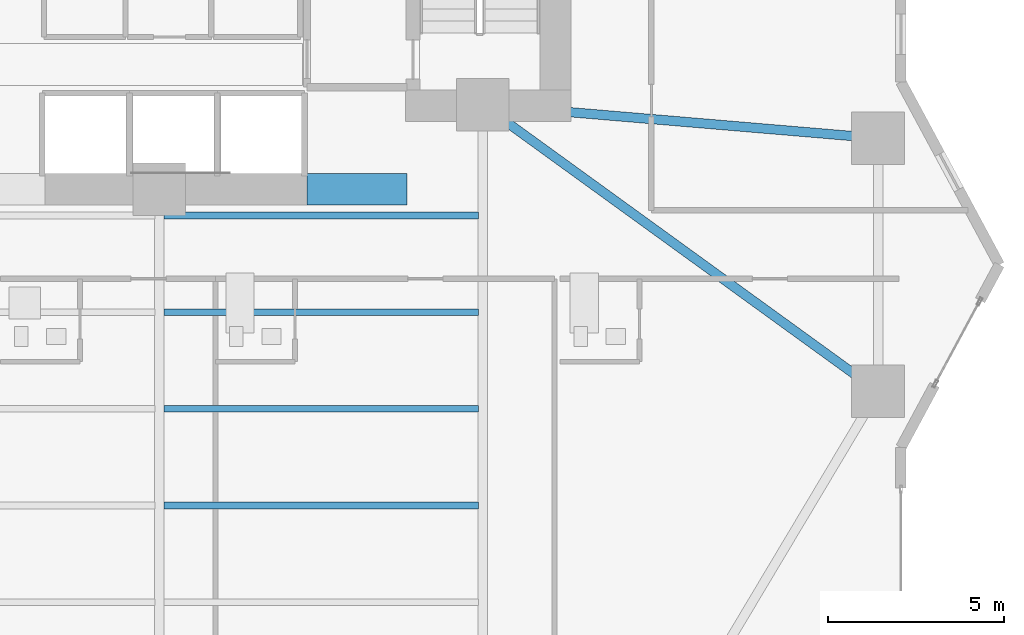
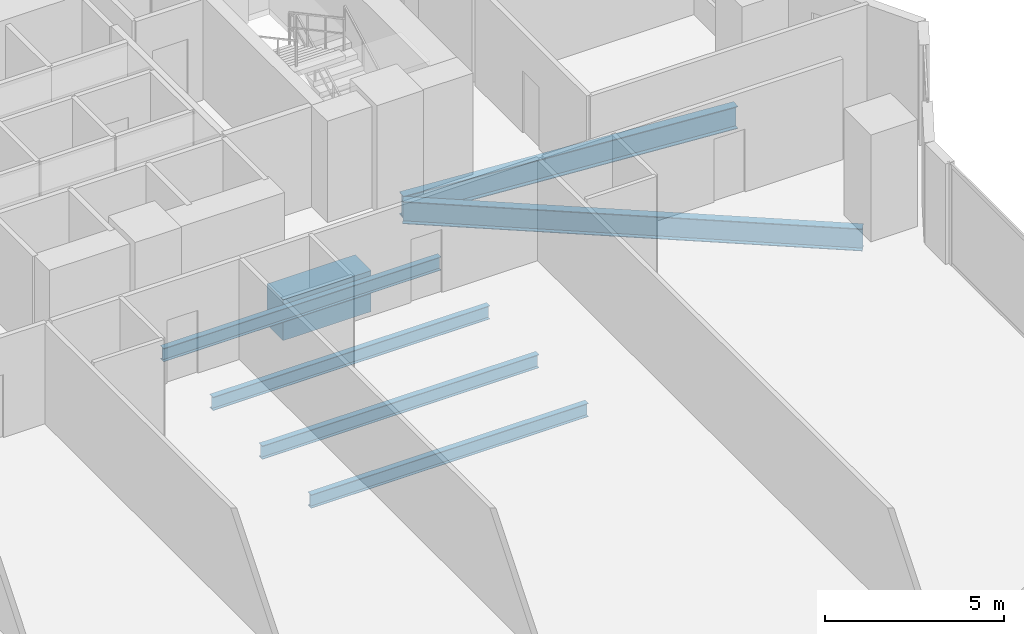
# One storey, part 11 of 30: 7 beams.
"""IFC4 building model written with IfcOpenShell, lengths in metres."""

from ifc_helpers import new_model, si_unit, direction, frame, origin, origin_2d, place, context, subcontext, project, spatial, rectangle, i_section, extrude, material, material_profile, profile_set, type_object, element, save


model = new_model("IFC4")

# Units and contexts
model_context = context("Model", 3, precision=1e-05, world=origin(), true_north=direction((0.0, 1.0)))
body_context = subcontext(model_context, "Body", "Model", "MODEL_VIEW")
ifc_project = project(units=[si_unit("LENGTHUNIT", "METRE"), si_unit("AREAUNIT", "SQUARE_METRE"), si_unit("VOLUMEUNIT", "CUBIC_METRE"), si_unit("PLANEANGLEUNIT", "RADIAN"), si_unit("MASSUNIT", "GRAM", prefix="KILO")], contexts=[model_context])

# Site, building, storey
site_placement = place(None, origin())
site = spatial("IfcSite", under=ifc_project, at=site_placement, CompositionType="ELEMENT")
building_placement = place(site_placement, origin())
building = spatial("IfcBuilding", under=site, at=building_placement, Name="Zuhayl Quay Hotel", CompositionType="ELEMENT")
storey_placement = place(building_placement, frame((0.0, 0.0, 82.35009765625)))
storey = spatial("IfcBuildingStorey", under=building, at=storey_placement, Name="L20", CompositionType="ELEMENT", Elevation=82.35009765625)

# Beams
ifc_material_1 = material(Name="Steel ASTM A992 Grade 50", Category="steel")
ifc_material_profile_1 = material_profile(ifc_material_1, i_section(OverallWidth=0.26708984375, OverallDepth=0.761962890625, WebThickness=0.014404296875, FlangeThickness=0.021484375, at=origin_2d()), Name="W30X116")
ifc_profile_set_1 = profile_set([ifc_material_profile_1], Name="Steel ASTM A992 Grade 50")
beam_type_1 = type_object("IfcBeamType", Name="BM_B1_W30X116", PredefinedType="BEAM", material=ifc_profile_set_1)
beam_1_placement = place(storey_placement, frame((14.164306640625, 4.285888671875, -0.60107421875), z_axis=(0.809830244688, -0.586664277751, 0.0), x_axis=(0.586664277751, 0.809830244688, 0.0)))
element("IfcBeam", 1, at=beam_1_placement, inside=storey, type_object=beam_type_1, Name="L20 Floor Beam FG_E_L20_1", PredefinedType="BEAM", context=body_context, shape_type="SweptSolid", body=[
    extrude(i_section(OverallWidth=0.26708984375, OverallDepth=0.761962890625, WebThickness=0.014404296875, FlangeThickness=0.021484375, at=origin_2d()), origin(), (0.0, 0.0, 1.0), 12.94189453125),
])
beam_2_placement = place(storey_placement, frame((14.248291015625, 4.51220703125, -0.60107421875), z_axis=(0.996453145398, -0.084149444594, 0.0), x_axis=(0.084149444594, 0.996453145398, 0.0)))
element("IfcBeam", 2, at=beam_2_placement, inside=storey, type_object=beam_type_1, Name="L20 Floor Beam FG_E_L20_2", PredefinedType="BEAM", context=body_context, shape_type="SweptSolid", body=[
    extrude(i_section(OverallWidth=0.26708984375, OverallDepth=0.761962890625, WebThickness=0.014404296875, FlangeThickness=0.021484375, at=origin_2d()), origin(), (0.0, 0.0, 1.0), 10.340087890625),
])
ifc_material_2 = material(Name="Concrete C60/75", Category="concrete")
ifc_material_profile_2 = material_profile(ifc_material_2, rectangle(XDim=0.89990234375, YDim=1.39990234375, at=origin_2d()), Name="RC900X1400")
ifc_profile_set_2 = profile_set([ifc_material_profile_2], Name="Concrete C60/75")
beam_type_2 = type_object("IfcBeamType", Name="BM_CB1_RC900", PredefinedType="T_BEAM", material=ifc_profile_set_2)
beam_3_placement = place(storey_placement, frame((8.800048828125, 2.14990234375, -0.920166015625), z_axis=(1.0, 0.0, 0.0), x_axis=(0.0, 1.0, 0.0)))
element("IfcBeam", 3, at=beam_3_placement, inside=storey, type_object=beam_type_2, Name="L20 Core Coupling Beam SE", PredefinedType="T_BEAM", context=body_context, shape_type="SweptSolid", body=[
    extrude(rectangle(XDim=0.89990234375, YDim=1.39990234375, at=origin_2d()), origin(), (0.0, 0.0, 1.0), 2.849853515625),
])
ifc_material_profile_3 = material_profile(ifc_material_1, i_section(OverallWidth=0.18994140625, OverallDepth=0.45703125, WebThickness=0.009033203125, FlangeThickness=0.014404296875, at=origin_2d()), Name="W18X50")
ifc_profile_set_3 = profile_set([ifc_material_profile_3], Name="Steel ASTM A992 Grade 50")
beam_type_3 = type_object("IfcBeamType", Name="BM_J2_W18X50", PredefinedType="JOIST", material=ifc_profile_set_3)
for number, where, z_axis, x_axis, name in (
    (4, (4.7255859375, -6.85009765625, -0.448486328125), (1.0, 0.0, 0.0), (0.0, 1.0, 0.0), "L20 Floor Beam FJ_L20_7_3"),
    (5, (4.7255859375, -4.10009765625, -0.448486328125), (1.0, 0.0, 0.0), (0.0, 1.0, 0.0), "L20 Floor Beam FJ_L20_8_3"),
    (6, (4.7255859375, -1.35009765625, -0.448486328125), (1.0, 0.0, 0.0), (0.0, 1.0, 0.0), "L20 Floor Beam FJ_L20_9_3"),
    (7, (4.7255859375, 1.39990234375, -0.448486328125), (1.0, 0.0, 0.0), (0.0, 1.0, 0.0), "L20 Floor Beam FJ_L20_10_3"),
):
    element("IfcBeam", number, at=place(storey_placement, frame(where, z_axis=z_axis, x_axis=x_axis)), inside=storey, type_object=beam_type_3, Name=name, PredefinedType="JOIST", context=body_context, shape_type="SweptSolid", body=[
        extrude(i_section(OverallWidth=0.18994140625, OverallDepth=0.45703125, WebThickness=0.009033203125, FlangeThickness=0.014404296875, at=origin_2d()), origin(), (0.0, 0.0, 1.0), 8.948974609375),
    ])

save(model, "model.ifc")
